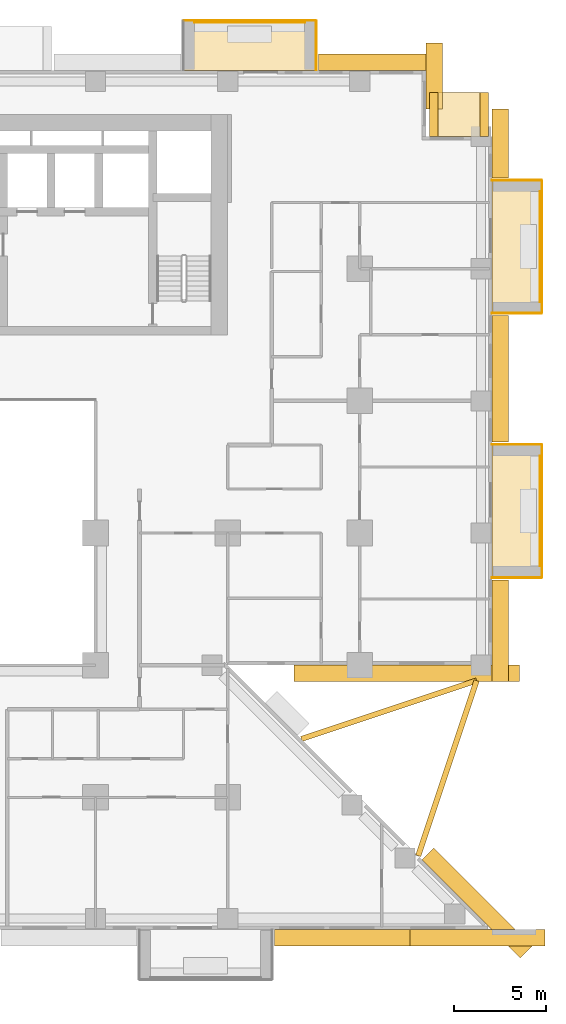
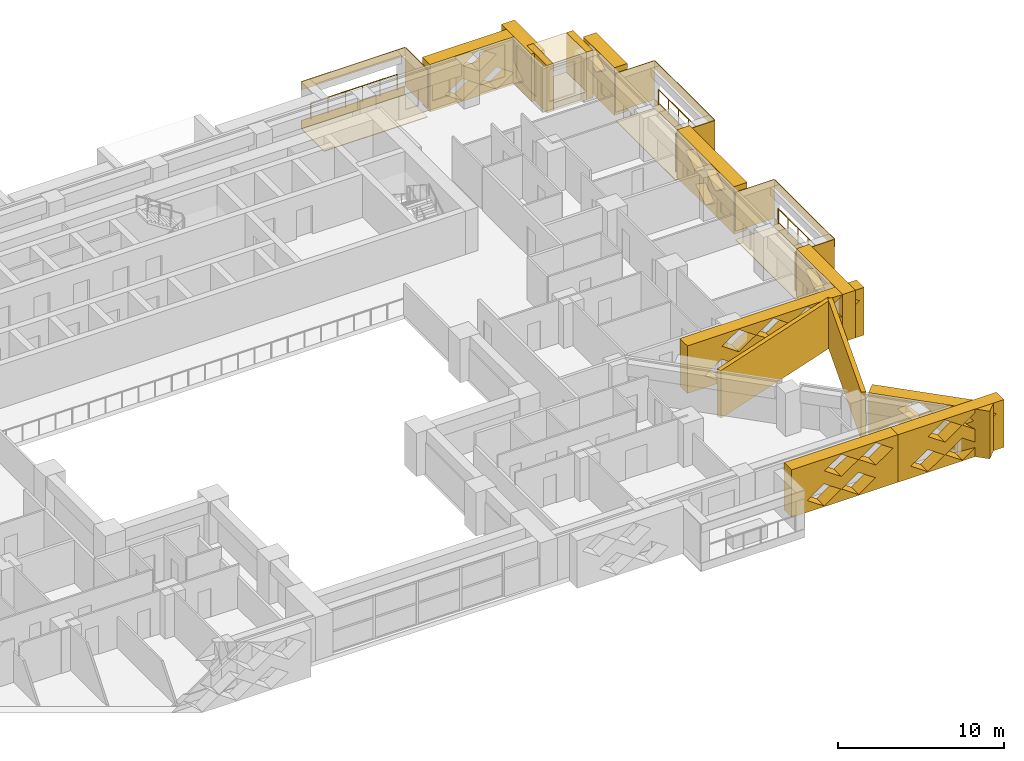
# One storey, part 16 of 16: 29 coverings, 3 railings.
"""IFC4 building model written with IfcOpenShell, lengths in metres."""

import ifcopenshell
import ifcopenshell.guid

model = None  # the IFC model being written
_history = None  # IfcOwnerHistory: only IFC2X3 demands one
_inside = {}  # id of a spatial element -> (the spatial element, [elements in it])
_under = {}  # id of a project, library or spatial element -> (it, [spatial elements below it])
_declared = {}  # id of a project -> (the project, [libraries it declares])
_typed = {}  # id of a type object -> (the type object, [elements of that type])
_made_of = {}  # id of a material, layer set ... -> (it, [elements and type objects made of it])


def new_model(schema):
    """Start an empty IFC model of exactly this schema.

    Asked for "IFC4X3", IfcOpenShell would pick the latest addendum, in which some entities
    have other attributes; the version numbers below select the first issue.
    IFC2X3 requires an IfcOwnerHistory on every rooted entity: one is made here for all.
    """
    global model, _history
    if schema == "IFC4X3":
        model = ifcopenshell.file(schema_version=(4, 3, 0, 0))
    else:
        model = ifcopenshell.file(schema=schema)
    _inside.clear()
    _under.clear()
    _declared.clear()
    _typed.clear()
    _made_of.clear()
    _history = None
    if model.schema == "IFC2X3":
        org = make("IfcOrganization", Name="unknown")
        user = make(
            "IfcPersonAndOrganization",
            ThePerson=make("IfcPerson", FamilyName="unknown"),
            TheOrganization=org,
        )
        app = make(
            "IfcApplication",
            ApplicationDeveloper=org,
            Version="unknown",
            ApplicationFullName="unknown",
            ApplicationIdentifier="unknown",
        )
        _history = make(
            "IfcOwnerHistory",
            OwningUser=user,
            OwningApplication=app,
            ChangeAction="ADDED",
            CreationDate=0,
        )
    return model


def make(cls, **values):
    """One entity of the class cls with the attributes given. An attribute that is None is left unset."""
    return model.create_entity(
        cls, **{name: value for name, value in values.items() if value is not None}
    )


def rooted(cls, **values):
    """An entity with a GlobalId (a new one), such as an element, a storey or a relation."""
    return make(cls, GlobalId=ifcopenshell.guid.new(), OwnerHistory=_history, **values)


def si_unit(unit_type, name, prefix=None):
    """IfcSIUnit, for example si_unit("LENGTHUNIT", "METRE", prefix="MILLI")."""
    return make("IfcSIUnit", UnitType=unit_type, Prefix=prefix, Name=name)


def assignment(units):
    """IfcUnitAssignment: the units of a project."""
    return None if units is None else make("IfcUnitAssignment", Units=units)


def point(xyz):
    """IfcCartesianPoint."""
    return None if xyz is None else make("IfcCartesianPoint", Coordinates=xyz)


def direction(xyz):
    """IfcDirection."""
    return None if xyz is None else make("IfcDirection", DirectionRatios=xyz)


def frame(location, z_axis=None, x_axis=None):
    """IfcAxis2Placement3D, a coordinate frame: its origin and axes. An axis left out is left unset."""
    return make(
        "IfcAxis2Placement3D",
        Location=point(location),
        Axis=direction(z_axis),
        RefDirection=direction(x_axis),
    )


def frame_2d(location, x_axis=None):
    """IfcAxis2Placement2D, a coordinate frame in the plane: its origin and x axis."""
    return make(
        "IfcAxis2Placement2D", Location=point(location), RefDirection=direction(x_axis)
    )


def origin():
    """The frame at (0, 0, 0) with its axes left unset."""
    return frame((0.0, 0.0, 0.0))


def origin_2d():
    """The frame at (0, 0) in the plane with its x axis left unset."""
    return frame_2d((0.0, 0.0))


def place(relative_to, where):
    """IfcLocalPlacement: puts the frame where relative to a parent placement (None: the world)."""
    return make(
        "IfcLocalPlacement", PlacementRelTo=relative_to, RelativePlacement=where
    )


def context(
    kind, dimensions, precision=None, world=None, true_north=None, identifier=None
):
    """IfcGeometricRepresentationContext, for example the 3D "Model" context."""
    return make(
        "IfcGeometricRepresentationContext",
        ContextIdentifier=identifier,
        ContextType=kind,
        CoordinateSpaceDimension=dimensions,
        Precision=precision,
        WorldCoordinateSystem=world,
        TrueNorth=true_north,
    )


def subcontext(parent, identifier, kind, view, scale=None):
    """IfcGeometricRepresentationSubContext, for example "Body" below "Model"."""
    return make(
        "IfcGeometricRepresentationSubContext",
        ContextIdentifier=identifier,
        ContextType=kind,
        ParentContext=parent,
        TargetScale=scale,
        TargetView=view,
    )


def project(units=None, contexts=None):
    """IfcProject with its units and contexts."""
    return rooted(
        "IfcProject",
        Name="project",
        RepresentationContexts=contexts,
        UnitsInContext=assignment(units),
    )


def spatial(cls, under=None, at=None, **own):
    """A site, building, storey or space (cls), placed at a placement, below another one or the project."""
    s = rooted(cls, ObjectPlacement=at, **own)
    if under is not None:
        _under.setdefault(under.id(), (under, []))[1].append(s)
    return s


def polyline(points):
    """IfcPolyline through the points."""
    return make("IfcPolyline", Points=[point(p) for p in points])


def profile(cls, at=None, kind="AREA", **sizes):
    """A parametric profile (cls). Its sizes go by their IFC names, for example OverallWidth=200.0."""
    return make(cls, ProfileType=kind, Position=at, **sizes)


def circle(**sizes):
    """IfcCircleProfileDef."""
    return profile("IfcCircleProfileDef", **sizes)


def outline(outer, holes=None, kind="AREA"):
    """IfcArbitraryClosedProfileDef: a profile drawn as a closed curve; with holes, ...WithVoids."""
    if holes is None:
        return make("IfcArbitraryClosedProfileDef", ProfileType=kind, OuterCurve=outer)
    return make(
        "IfcArbitraryProfileDefWithVoids",
        ProfileType=kind,
        OuterCurve=outer,
        InnerCurves=holes,
    )


def extrude(swept, where, along, depth):
    """IfcExtrudedAreaSolid: the profile swept, set in the frame where, extruded along a direction by depth."""
    return make(
        "IfcExtrudedAreaSolid",
        SweptArea=swept,
        Position=where,
        ExtrudedDirection=direction(along),
        Depth=depth,
    )


def shape(context_of_items, identifier, shape_type, items):
    """IfcShapeRepresentation: the items that make up one representation, for example the "Body"."""
    return make(
        "IfcShapeRepresentation",
        ContextOfItems=context_of_items,
        RepresentationIdentifier=identifier,
        RepresentationType=shape_type,
        Items=items,
    )


def material(Name=None, Category=None):
    """IfcMaterial."""
    return make("IfcMaterial", Name=Name, Category=Category)


def layer(
    of_material, thickness, ventilated=None, Name=None, Category=None, Priority=None
):
    """IfcMaterialLayer: one layer of a wall or slab, of a material (None: an air gap)."""
    return make(
        "IfcMaterialLayer",
        Material=of_material,
        LayerThickness=thickness,
        IsVentilated=ventilated,
        Name=Name,
        Category=Category,
        Priority=Priority,
    )


def layer_set(layers, Name=None):
    """IfcMaterialLayerSet."""
    return make("IfcMaterialLayerSet", MaterialLayers=layers, LayerSetName=Name)


def made_of(thing, what):
    """Note that an element or type object is made of a material, layer set ...; save() writes the relation."""
    if what is not None:
        _made_of.setdefault(what.id(), (what, []))[1].append(thing)
    return thing


def type_object(cls, material=None, **own):
    """A type object (cls), such as IfcWallType, which elements share."""
    return made_of(rooted(cls, **own), material)


def element(
    cls,
    number,
    at=None,
    inside=None,
    cuts=None,
    type_object=None,
    material=None,
    context=None,
    identifier="Body",
    shape_type=None,
    held_by="IfcProductDefinitionShape",
    body=None,
    shapes=None,
    **own,
):
    """One element of the class cls, such as IfcWall. Its Tag is "e" and its number.

    at: its placement. inside: the storey or other place that contains it. cuts: it is an
    opening in that element (IfcRelVoidsElement). A single representation is given by context,
    identifier, shape_type and body (its items); several are given by shapes. held_by: the class
    of the entity that holds the representations. save() writes the other relations.
    """
    e = rooted(cls, Tag="e%d" % number, ObjectPlacement=at, **own)
    if body is not None:
        shapes = [shape(context, identifier, shape_type, body)]
    if shapes is not None:
        e.Representation = make(held_by, Representations=shapes)
    if inside is not None:
        _inside.setdefault(inside.id(), (inside, []))[1].append(e)
    if cuts is not None:
        rooted(
            "IfcRelVoidsElement", RelatingBuildingElement=cuts, RelatedOpeningElement=e
        )
    if type_object is not None:
        _typed.setdefault(type_object.id(), (type_object, []))[1].append(e)
    return made_of(e, material)


def aggregate(whole, parts):
    """IfcRelAggregates: a whole, such as a stair, and the parts it consists of."""
    return rooted("IfcRelAggregates", RelatingObject=whole, RelatedObjects=parts)


def save(model, path):
    """Write the relations noted so far, then the file.

    IfcRelAggregates (storeys below a building ...), IfcRelContainedInSpatialStructure (elements
    in a storey), IfcRelDefinesByType, IfcRelAssociatesMaterial and IfcRelDeclares: one each for
    every whole, place, type object, material and project.
    """
    for whole, parts in _under.values():
        aggregate(whole, parts)
    for where, things in _inside.values():
        rooted(
            "IfcRelContainedInSpatialStructure",
            RelatedElements=things,
            RelatingStructure=where,
        )
    for kind, things in _typed.values():
        rooted("IfcRelDefinesByType", RelatedObjects=things, RelatingType=kind)
    for what, things in _made_of.values():
        rooted("IfcRelAssociatesMaterial", RelatedObjects=things, RelatingMaterial=what)
    for by, libraries in _declared.values():
        rooted("IfcRelDeclares", RelatingContext=by, RelatedDefinitions=libraries)
    model.write(path)


model = new_model("IFC4")

# Units and contexts
model_context = context("Model", 3, precision=1e-05, world=origin(), true_north=direction((0.0, 1.0)))
body_context = subcontext(model_context, "Body", "Model", "MODEL_VIEW")
ifc_project = project(units=[si_unit("LENGTHUNIT", "METRE"), si_unit("AREAUNIT", "SQUARE_METRE"), si_unit("VOLUMEUNIT", "CUBIC_METRE"), si_unit("PLANEANGLEUNIT", "RADIAN"), si_unit("MASSUNIT", "GRAM", prefix="KILO")], contexts=[model_context])

# Site, building, storey
site_placement = place(None, origin())
site = spatial("IfcSite", under=ifc_project, at=site_placement, CompositionType="ELEMENT")
building_placement = place(site_placement, origin())
building = spatial("IfcBuilding", under=site, at=building_placement, Name="Saffron Iwan Residences", CompositionType="ELEMENT")
storey_placement = place(building_placement, frame((0.0, 0.0, 48.0)))
storey = spatial("IfcBuildingStorey", under=building, at=storey_placement, Name="L11", CompositionType="ELEMENT", Elevation=48.0)

# Railings
ifc_material_1 = material(Name="Stainless steel 316", Category="steel")
railing_type = type_object("IfcRailingType", Name="BALCONY GUARD 1150", PredefinedType="GUARDRAIL", material=ifc_material_1)
for number, where, name in (
    (1, (89.02490234375, 53.39990234375, 0.0), "Balcony guard L11 F2-0"),
    (2, (89.02490234375, 67.800048828125, 0.0), "Balcony guard L11 F2-1"),
):
    element("IfcRailing", number, at=place(storey_placement, frame(where)), inside=storey, type_object=railing_type, Name=name, PredefinedType="GUARDRAIL", context=body_context, shape_type="SweptSolid", body=[
        extrude(circle(Radius=0.02392578125, at=origin_2d()), frame((0.0, 0.0, 1.1259765625), z_axis=(0.0, 1.0, 0.0), x_axis=(-1.0, 0.0, 0.0)), (0.0, 0.0, 1.0), 6.0),
        extrude(circle(Radius=0.02099609375, at=origin_2d()), origin(), (0.0, 0.0, 1.0), 1.101806640625),
        extrude(circle(Radius=0.02099609375, at=origin_2d()), frame((0.0, 1.199951171875, 0.0)), (0.0, 0.0, 1.0), 1.101806640625),
        extrude(circle(Radius=0.02099609375, at=origin_2d()), frame((0.0, 2.39990234375, 0.0)), (0.0, 0.0, 1.0), 1.101806640625),
        extrude(circle(Radius=0.02099609375, at=origin_2d()), frame((0.0, 3.60009765625, 0.0)), (0.0, 0.0, 1.0), 1.101806640625),
        extrude(circle(Radius=0.02099609375, at=origin_2d()), frame((0.0, 4.800048828125, 0.0)), (0.0, 0.0, 1.0), 1.101806640625),
        extrude(circle(Radius=0.02099609375, at=origin_2d()), frame((0.0, 6.0, 0.0)), (0.0, 0.0, 1.0), 1.101806640625),
    ])
railing_placement = place(storey_placement, frame((76.199951171875, 83.02490234375, 0.0)))
element("IfcRailing", 3, at=railing_placement, inside=storey, type_object=railing_type, Name="Balcony guard L11 F5-0", PredefinedType="GUARDRAIL", context=body_context, shape_type="SweptSolid", body=[
    extrude(circle(Radius=0.02392578125, at=origin_2d()), frame((0.0, 0.0, 1.1259765625), z_axis=(-1.0, 0.0, 0.0), x_axis=(0.0, -1.0, 0.0)), (0.0, 0.0, 1.0), 6.0),
    extrude(circle(Radius=0.02099609375, at=origin_2d()), origin(), (0.0, 0.0, 1.0), 1.101806640625),
    extrude(circle(Radius=0.02099609375, at=origin_2d()), frame((-1.199951171875, 0.0, 0.0)), (0.0, 0.0, 1.0), 1.101806640625),
    extrude(circle(Radius=0.02099609375, at=origin_2d()), frame((-2.39990234375, 0.0, 0.0)), (0.0, 0.0, 1.0), 1.101806640625),
    extrude(circle(Radius=0.02099609375, at=origin_2d()), frame((-3.60009765625, 0.0, 0.0)), (0.0, 0.0, 1.0), 1.101806640625),
    extrude(circle(Radius=0.02099609375, at=origin_2d()), frame((-4.800048828125, 0.0, 0.0)), (0.0, 0.0, 1.0), 1.101806640625),
    extrude(circle(Radius=0.02099609375, at=origin_2d()), frame((-6.0, 0.0, 0.0)), (0.0, 0.0, 1.0), 1.101806640625),
])

# Coverings
ifc_material_2 = material(Name="Precast concrete C40/50 white painted", Category="concrete")
ifc_layer_1 = layer(ifc_material_2, 0.050048828125)
ifc_layer_set_1 = layer_set([ifc_layer_1], Name="Precast concrete C40/50 white painted")
covering_type_1 = type_object("IfcCoveringType", Name="FRAME SKIN PRECAST WHITE 50", PredefinedType="CLADDING", material=ifc_layer_set_1)
for number, where, name in (
    (4, (0.0, 0.0, -0.60009765625), "Frame skin slab edge L11 F2-0"),
    (5, (0.0, 0.0, 2.25), "Frame skin fascia L11 F2-0"),
):
    element("IfcCovering", number, at=place(storey_placement, frame(where)), inside=storey, type_object=covering_type_1, Name=name, PredefinedType="CLADDING", context=body_context, shape_type="SweptSolid", body=[
        extrude(outline(polyline([(89.14990234375, 52.800048828125), (89.14990234375, 60.0), (89.10009765625, 60.0), (89.10009765625, 52.800048828125), (89.14990234375, 52.800048828125)])), origin(), (0.0, 0.0, 1.0), 0.60009765625),
    ])
covering_1_placement = place(storey_placement, frame((0.0, 0.0, -0.64990234375)))
element("IfcCovering", 6, at=covering_1_placement, inside=storey, type_object=covering_type_1, Name="Frame skin soffit L11 F2-0", PredefinedType="CLADDING", context=body_context, shape_type="SweptSolid", body=[
    extrude(outline(polyline([(89.10009765625, 52.800048828125), (89.10009765625, 60.0), (86.39990234375, 60.0), (86.39990234375, 52.800048828125), (89.10009765625, 52.800048828125)])), origin(), (0.0, 0.0, 1.0), 0.0498046875),
])
covering_2_placement = place(storey_placement, origin())
element("IfcCovering", 7, at=covering_2_placement, inside=storey, type_object=covering_type_1, Name="Frame skin fin L11 F2-0a", PredefinedType="CLADDING", context=body_context, shape_type="SweptSolid", body=[
    extrude(outline(polyline([(89.10009765625, 52.75), (89.10009765625, 52.800048828125), (86.39990234375, 52.800048828125), (86.39990234375, 52.75), (89.10009765625, 52.75)])), origin(), (0.0, 0.0, 1.0), 2.85009765625),
])
covering_3_placement = place(storey_placement, origin())
element("IfcCovering", 8, at=covering_3_placement, inside=storey, type_object=covering_type_1, Name="Frame skin fin L11 F2-0b", PredefinedType="CLADDING", context=body_context, shape_type="SweptSolid", body=[
    extrude(outline(polyline([(89.10009765625, 60.0), (89.10009765625, 60.050048828125), (86.39990234375, 60.050048828125), (86.39990234375, 60.0), (89.10009765625, 60.0)])), origin(), (0.0, 0.0, 1.0), 2.85009765625),
])
for number, where, name in (
    (9, (0.0, 0.0, -0.60009765625), "Frame skin slab edge L11 F2-1"),
    (10, (0.0, 0.0, 2.25), "Frame skin fascia L11 F2-1"),
):
    element("IfcCovering", number, at=place(storey_placement, frame(where)), inside=storey, type_object=covering_type_1, Name=name, PredefinedType="CLADDING", context=body_context, shape_type="SweptSolid", body=[
        extrude(outline(polyline([(89.14990234375, 67.199951171875), (89.14990234375, 74.39990234375), (89.10009765625, 74.39990234375), (89.10009765625, 67.199951171875), (89.14990234375, 67.199951171875)])), origin(), (0.0, 0.0, 1.0), 0.60009765625),
    ])
covering_4_placement = place(storey_placement, frame((0.0, 0.0, -0.64990234375)))
element("IfcCovering", 11, at=covering_4_placement, inside=storey, type_object=covering_type_1, Name="Frame skin soffit L11 F2-1", PredefinedType="CLADDING", context=body_context, shape_type="SweptSolid", body=[
    extrude(outline(polyline([(89.10009765625, 67.199951171875), (89.10009765625, 74.39990234375), (86.39990234375, 74.39990234375), (86.39990234375, 67.199951171875), (89.10009765625, 67.199951171875)])), origin(), (0.0, 0.0, 1.0), 0.0498046875),
])
covering_5_placement = place(storey_placement, origin())
element("IfcCovering", 12, at=covering_5_placement, inside=storey, type_object=covering_type_1, Name="Frame skin fin L11 F2-1a", PredefinedType="CLADDING", context=body_context, shape_type="SweptSolid", body=[
    extrude(outline(polyline([(89.10009765625, 67.14990234375), (89.10009765625, 67.199951171875), (86.39990234375, 67.199951171875), (86.39990234375, 67.14990234375), (89.10009765625, 67.14990234375)])), origin(), (0.0, 0.0, 1.0), 2.85009765625),
])
covering_6_placement = place(storey_placement, origin())
element("IfcCovering", 13, at=covering_6_placement, inside=storey, type_object=covering_type_1, Name="Frame skin fin L11 F2-1b", PredefinedType="CLADDING", context=body_context, shape_type="SweptSolid", body=[
    extrude(outline(polyline([(89.10009765625, 74.39990234375), (89.10009765625, 74.449951171875), (86.39990234375, 74.449951171875), (86.39990234375, 74.39990234375), (89.10009765625, 74.39990234375)])), origin(), (0.0, 0.0, 1.0), 2.85009765625),
])
for number, where, name in (
    (14, (0.0, 0.0, -0.60009765625), "Frame skin slab edge L11 F5-0"),
    (15, (0.0, 0.0, 2.25), "Frame skin fascia L11 F5-0"),
):
    element("IfcCovering", number, at=place(storey_placement, frame(where)), inside=storey, type_object=covering_type_1, Name=name, PredefinedType="CLADDING", context=body_context, shape_type="SweptSolid", body=[
        extrude(outline(polyline([(76.800048828125, 83.14990234375), (69.60009765625, 83.14990234375), (69.60009765625, 83.10009765625), (76.800048828125, 83.10009765625), (76.800048828125, 83.14990234375)])), origin(), (0.0, 0.0, 1.0), 0.60009765625),
    ])
covering_7_placement = place(storey_placement, frame((0.0, 0.0, -0.64990234375)))
element("IfcCovering", 16, at=covering_7_placement, inside=storey, type_object=covering_type_1, Name="Frame skin soffit L11 F5-0", PredefinedType="CLADDING", context=body_context, shape_type="SweptSolid", body=[
    extrude(outline(polyline([(76.800048828125, 83.10009765625), (69.60009765625, 83.10009765625), (69.60009765625, 80.39990234375), (76.800048828125, 80.39990234375), (76.800048828125, 83.10009765625)])), origin(), (0.0, 0.0, 1.0), 0.0498046875),
])
covering_8_placement = place(storey_placement, origin())
element("IfcCovering", 17, at=covering_8_placement, inside=storey, type_object=covering_type_1, Name="Frame skin fin L11 F5-0a", PredefinedType="CLADDING", context=body_context, shape_type="SweptSolid", body=[
    extrude(outline(polyline([(76.85009765625, 83.10009765625), (76.800048828125, 83.10009765625), (76.800048828125, 80.39990234375), (76.85009765625, 80.39990234375), (76.85009765625, 83.10009765625)])), origin(), (0.0, 0.0, 1.0), 2.85009765625),
])
ifc_material_3 = material(Name="Precast concrete C40/50", Category="concrete")
covering_type_2 = type_object("IfcCoveringType", Name="OUTER SKIN LATTICE SCREEN", PredefinedType="CLADDING", material=ifc_material_3)
covering_9_placement = place(storey_placement, frame((87.939453125, 32.060546875, -0.320068359375), z_axis=(0.706971125213, 0.70724241114, 0.0), x_axis=(-0.70724241114, 0.706971125213, 0.0)))
element("IfcCovering", 18, at=covering_9_placement, inside=storey, type_object=covering_type_2, Name="OUTER SKIN lattice screen L11 F0.0", PredefinedType="CLADDING", context=body_context, shape_type="SweptSolid", body=[
    extrude(outline(polyline([(0.0, 0.0), (7.559326171875, 0.0), (7.559326171875, 3.5), (0.0, 3.5), (0.0, 0.0)]), holes=[polyline([(2.197021484375, 0.875), (3.377197265625, 0.06005859375), (4.55712890625, 0.875), (3.377197265625, 1.68994140625), (2.197021484375, 0.875)]), polyline([(4.59716796875, 0.875), (5.777099609375, 0.06005859375), (6.95703125, 0.875), (5.777099609375, 1.68994140625), (4.59716796875, 0.875)]), polyline([(0.9970703125, 2.625), (2.177001953125, 1.81005859375), (3.357177734375, 2.625), (2.177001953125, 3.43994140625), (0.9970703125, 2.625)]), polyline([(3.397216796875, 2.625), (4.5771484375, 1.81005859375), (5.757080078125, 2.625), (4.5771484375, 3.43994140625), (3.397216796875, 2.625)])]), origin(), (0.0, 0.0, 1.0), 0.89990234375),
])
covering_10_placement = place(storey_placement, frame((75.6171875, 48.0, -0.320068359375), z_axis=(0.0, -1.0, 0.0), x_axis=(1.0, 0.0, 0.0)))
element("IfcCovering", 19, at=covering_10_placement, inside=storey, type_object=covering_type_2, Name="OUTER SKIN lattice screen L11 F1.0", PredefinedType="CLADDING", context=body_context, shape_type="SweptSolid", body=[
    extrude(outline(polyline([(0.0, 0.0), (12.282958984375, 0.0), (12.282958984375, 3.5), (0.0, 3.5), (0.0, 0.0)]), holes=[polyline([(1.202880859375, 0.875), (2.3828125, 0.06005859375), (3.56298828125, 0.875), (2.3828125, 1.68994140625), (1.202880859375, 0.875)]), polyline([(3.602783203125, 0.875), (4.782958984375, 0.06005859375), (5.962890625, 0.875), (4.782958984375, 1.68994140625), (3.602783203125, 0.875)]), polyline([(6.0029296875, 0.875), (7.182861328125, 0.06005859375), (8.36279296875, 0.875), (7.182861328125, 1.68994140625), (6.0029296875, 0.875)]), polyline([(8.40283203125, 0.875), (9.5830078125, 0.06005859375), (10.762939453125, 0.875), (9.5830078125, 1.68994140625), (8.40283203125, 0.875)]), polyline([(2.40283203125, 2.625), (3.5830078125, 1.81005859375), (4.762939453125, 2.625), (3.5830078125, 3.43994140625), (2.40283203125, 2.625)]), polyline([(4.802978515625, 2.625), (5.98291015625, 1.81005859375), (7.162841796875, 2.625), (5.98291015625, 3.43994140625), (4.802978515625, 2.625)]), polyline([(7.202880859375, 2.625), (8.3828125, 1.81005859375), (9.56298828125, 2.625), (8.3828125, 3.43994140625), (7.202880859375, 2.625)]), polyline([(9.602783203125, 2.625), (10.782958984375, 1.81005859375), (11.962890625, 2.625), (10.782958984375, 3.43994140625), (9.602783203125, 2.625)])]), origin(), (0.0, 0.0, 1.0), 0.89990234375),
])
covering_11_placement = place(storey_placement, frame((86.39990234375, 47.10009765625, -0.320068359375), z_axis=(1.0, 0.0, 0.0), x_axis=(0.0, 1.0, 0.0)))
element("IfcCovering", 20, at=covering_11_placement, inside=storey, type_object=covering_type_2, Name="OUTER SKIN lattice screen L11 F2.0", PredefinedType="CLADDING", context=body_context, shape_type="SweptSolid", body=[
    extrude(outline(polyline([(0.0, 0.0), (5.550048828125, 0.0), (5.550048828125, 3.5), (0.0, 3.5), (0.0, 0.0)]), holes=[polyline([(0.919921875, 0.875), (2.10009765625, 0.06005859375), (3.280029296875, 0.875), (2.10009765625, 1.68994140625), (0.919921875, 0.875)]), polyline([(2.1201171875, 2.625), (3.300048828125, 1.81005859375), (4.47998046875, 2.625), (3.300048828125, 3.43994140625), (2.1201171875, 2.625)])]), origin(), (0.0, 0.0, 1.0), 0.900146484375),
])
covering_12_placement = place(storey_placement, frame((86.39990234375, 60.14990234375, -0.320068359375), z_axis=(1.0, 0.0, 0.0), x_axis=(0.0, 1.0, 0.0)))
element("IfcCovering", 21, at=covering_12_placement, inside=storey, type_object=covering_type_2, Name="OUTER SKIN lattice screen L11 F2.1", PredefinedType="CLADDING", context=body_context, shape_type="SweptSolid", body=[
    extrude(outline(polyline([(0.0, 0.0), (6.89990234375, 0.0), (6.89990234375, 3.5), (0.0, 3.5), (0.0, 0.0)]), holes=[polyline([(2.27001953125, 0.875), (3.449951171875, 0.06005859375), (4.6298828125, 0.875), (3.449951171875, 1.68994140625), (2.27001953125, 0.875)]), polyline([(1.070068359375, 2.625), (2.25, 1.81005859375), (3.429931640625, 2.625), (2.25, 3.43994140625), (1.070068359375, 2.625)]), polyline([(3.469970703125, 2.625), (4.64990234375, 1.81005859375), (5.830078125, 2.625), (4.64990234375, 3.43994140625), (3.469970703125, 2.625)])]), origin(), (0.0, 0.0, 1.0), 0.900146484375),
])
covering_13_placement = place(storey_placement, frame((86.39990234375, 74.550048828125, -0.320068359375), z_axis=(1.0, 0.0, 0.0), x_axis=(0.0, 1.0, 0.0)))
element("IfcCovering", 22, at=covering_13_placement, inside=storey, type_object=covering_type_2, Name="OUTER SKIN lattice screen L11 F2.2", PredefinedType="CLADDING", context=body_context, shape_type="SweptSolid", body=[
    extrude(outline(polyline([(0.0, 0.0), (3.75, 0.0), (3.75, 3.5), (0.0, 3.5), (0.0, 0.0)]), holes=[polyline([(1.070068359375, 2.625), (2.25, 1.81005859375), (3.429931640625, 2.625), (2.25, 3.43994140625), (1.070068359375, 2.625)])]), origin(), (0.0, 0.0, 1.0), 0.900146484375),
])
covering_14_placement = place(storey_placement, frame((82.800048828125, 78.300048828125, -0.320068359375), z_axis=(1.0, 0.0, 0.0), x_axis=(0.0, 1.0, 0.0)))
element("IfcCovering", 23, at=covering_14_placement, inside=storey, type_object=covering_type_2, Name="OUTER SKIN lattice screen L11 F4.0", PredefinedType="CLADDING", context=body_context, shape_type="SweptSolid", body=[
    extrude(outline(polyline([(0.0, 0.0), (3.60009765625, 0.0), (3.60009765625, 3.5), (0.0, 3.5), (0.0, 0.0)]), holes=[polyline([(0.919921875, 0.875), (2.10009765625, 0.06005859375), (3.280029296875, 0.875), (2.10009765625, 1.68994140625), (0.919921875, 0.875)])]), origin(), (0.0, 0.0, 1.0), 0.89990234375),
])
covering_15_placement = place(storey_placement, frame((83.699951171875, 80.39990234375, -0.320068359375), z_axis=(0.0, 1.0, 0.0), x_axis=(-1.0, 0.0, 0.0)))
element("IfcCovering", 24, at=covering_15_placement, inside=storey, type_object=covering_type_2, Name="OUTER SKIN lattice screen L11 F5.0", PredefinedType="CLADDING", context=body_context, shape_type="SweptSolid", body=[
    extrude(outline(polyline([(0.0, 0.0), (6.75, 0.0), (6.75, 3.5), (0.0, 3.5), (0.0, 0.0)]), holes=[polyline([(0.919921875, 0.875), (2.10009765625, 0.06005859375), (3.280029296875, 0.875), (2.10009765625, 1.68994140625), (0.919921875, 0.875)]), polyline([(3.320068359375, 0.875), (4.5, 0.06005859375), (5.679931640625, 0.875), (4.5, 1.68994140625), (3.320068359375, 0.875)]), polyline([(2.1201171875, 2.625), (3.300048828125, 1.81005859375), (4.47998046875, 2.625), (3.300048828125, 3.43994140625), (2.1201171875, 2.625)])]), origin(), (0.0, 0.0, 1.0), 0.900146484375),
])
covering_16_placement = place(storey_placement, frame((74.550048828125, 33.60009765625, -0.320068359375), z_axis=(0.0, -1.0, 0.0), x_axis=(1.0, 0.0, 0.0)))
element("IfcCovering", 25, at=covering_16_placement, inside=storey, type_object=covering_type_2, Name="OUTER SKIN lattice screen L11 F11.3", PredefinedType="CLADDING", context=body_context, shape_type="SweptSolid", body=[
    extrude(outline(polyline([(0.0, 0.0), (7.37353515625, 0.0), (7.37353515625, 3.5), (0.0, 3.5), (0.0, 0.0)]), holes=[polyline([(1.070068359375, 0.875), (2.25, 0.06005859375), (3.429931640625, 0.875), (2.25, 1.68994140625), (1.070068359375, 0.875)]), polyline([(3.469970703125, 0.875), (4.64990234375, 0.06005859375), (5.830078125, 0.875), (4.64990234375, 1.68994140625), (3.469970703125, 0.875)]), polyline([(2.27001953125, 2.625), (3.449951171875, 1.81005859375), (4.6298828125, 2.625), (3.449951171875, 3.43994140625), (2.27001953125, 2.625)]), polyline([(4.669921875, 2.625), (5.85009765625, 1.81005859375), (7.030029296875, 2.625), (5.85009765625, 3.43994140625), (4.669921875, 2.625)])]), origin(), (0.0, 0.0, 1.0), 0.900146484375),
])
covering_17_placement = place(storey_placement, frame((81.923583984375, 33.60009765625, -0.320068359375), z_axis=(0.0, -1.0, 0.0), x_axis=(1.0, 0.0, 0.0)))
element("IfcCovering", 26, at=covering_17_placement, inside=storey, type_object=covering_type_2, Name="OUTER SKIN lattice screen L11 F11.4", PredefinedType="CLADDING", context=body_context, shape_type="SweptSolid", body=[
    extrude(outline(polyline([(0.0, 0.0), (7.37353515625, 0.0), (7.37353515625, 3.5), (0.0, 3.5), (0.0, 0.0)]), holes=[polyline([(0.896484375, 0.875), (2.076416015625, 0.06005859375), (3.256591796875, 0.875), (2.076416015625, 1.68994140625), (0.896484375, 0.875)]), polyline([(3.29638671875, 0.875), (4.4765625, 0.06005859375), (5.656494140625, 0.875), (4.4765625, 1.68994140625), (3.29638671875, 0.875)]), polyline([(2.096435546875, 2.625), (3.276611328125, 1.81005859375), (4.45654296875, 2.625), (3.276611328125, 3.43994140625), (2.096435546875, 2.625)]), polyline([(4.49658203125, 2.625), (5.676513671875, 1.81005859375), (6.8564453125, 2.625), (5.676513671875, 3.43994140625), (4.49658203125, 2.625)])]), origin(), (0.0, 0.0, 1.0), 0.900146484375),
])
ifc_layer_2 = layer(ifc_material_2, 0.300048828125)
ifc_layer_set_2 = layer_set([ifc_layer_2], Name="Precast concrete C40/50 white painted")
covering_type_3 = type_object("IfcCoveringType", Name="PROW NOSE BLADE PRECAST WHITE", PredefinedType="CLADDING", material=ifc_layer_set_2)
covering_18_placement = place(storey_placement, frame((0.0, 0.0, -0.320068359375)))
element("IfcCovering", 27, at=covering_18_placement, inside=storey, type_object=covering_type_3, Name="Prow nose blade L11 a", PredefinedType="CLADDING", context=body_context, shape_type="SweptSolid", body=[
    extrude(outline(polyline([(82.5244140625, 37.570556640625), (85.706298828125, 47.116455078125), (85.421630859375, 47.21142578125), (82.23974609375, 37.66552734375), (82.5244140625, 37.570556640625)])), origin(), (0.0, 0.0, 1.0), 3.5),
])
covering_19_placement = place(storey_placement, frame((0.0, 0.0, -0.320068359375)))
element("IfcCovering", 28, at=covering_19_placement, inside=storey, type_object=covering_type_3, Name="Prow nose blade L11 b", PredefinedType="CLADDING", context=body_context, shape_type="SweptSolid", body=[
    extrude(outline(polyline([(76.0654296875, 43.839599609375), (85.611328125, 47.021728515625), (85.5166015625, 47.306396484375), (75.970703125, 44.124267578125), (76.0654296875, 43.839599609375)])), origin(), (0.0, 0.0, 1.0), 3.5),
])
covering_type_4 = type_object("IfcCoveringType", Name="WHITE SUN FRAME PRECAST", PredefinedType="CLADDING", material=ifc_material_2)
for number, where, z_axis, x_axis, name in (
    (29, (86.199951171875, 76.800048828125, -0.320068359375), (0.0, 1.0, 0.0), (-1.0, 0.0, 0.0), "Sun frame L11 F3 0.2a"),
    (30, (83.449951171875, 76.800048828125, -0.320068359375), (0.0, 1.0, 0.0), (-1.0, 0.0, 0.0), "Sun frame L11 F3 0.2b"),
):
    element("IfcCovering", number, at=place(storey_placement, frame(where, z_axis=z_axis, x_axis=x_axis)), inside=storey, type_object=covering_type_4, Name=name, PredefinedType="CLADDING", context=body_context, shape_type="SweptSolid", body=[
        extrude(outline(polyline([(0.0, 0.0), (0.449951171875, 0.0), (0.449951171875, 3.5), (0.0, 3.5), (0.0, 0.0)])), origin(), (0.0, 0.0, 1.0), 2.39990234375),
    ])
for number, where, z_axis, x_axis, name in (
    (31, (85.75, 76.800048828125, 2.580078125), (0.0, 1.0, 0.0), (-1.0, 0.0, 0.0), "Sun frame L11 F3 0.2h"),
    (32, (85.75, 76.800048828125, -0.320068359375), (0.0, 1.0, 0.0), (-1.0, 0.0, 0.0), "Sun frame L11 F3 0.2s"),
):
    element("IfcCovering", number, at=place(storey_placement, frame(where, z_axis=z_axis, x_axis=x_axis)), inside=storey, type_object=covering_type_4, Name=name, PredefinedType="CLADDING", context=body_context, shape_type="SweptSolid", body=[
        extrude(outline(polyline([(0.0, 0.0), (2.300048828125, 0.0), (2.300048828125, 0.60009765625), (0.0, 0.60009765625), (0.0, 0.0)])), origin(), (0.0, 0.0, 1.0), 2.39990234375),
    ])

save(model, "model.ifc")
